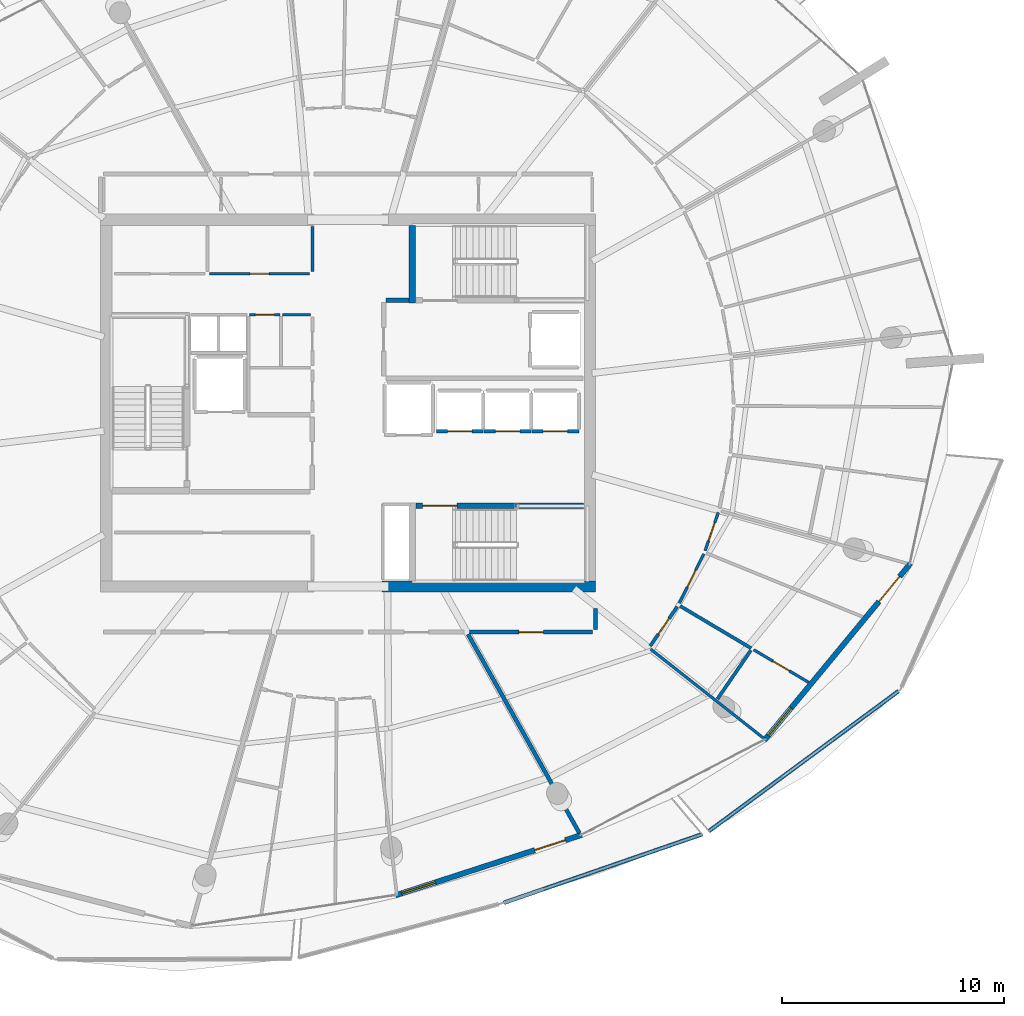
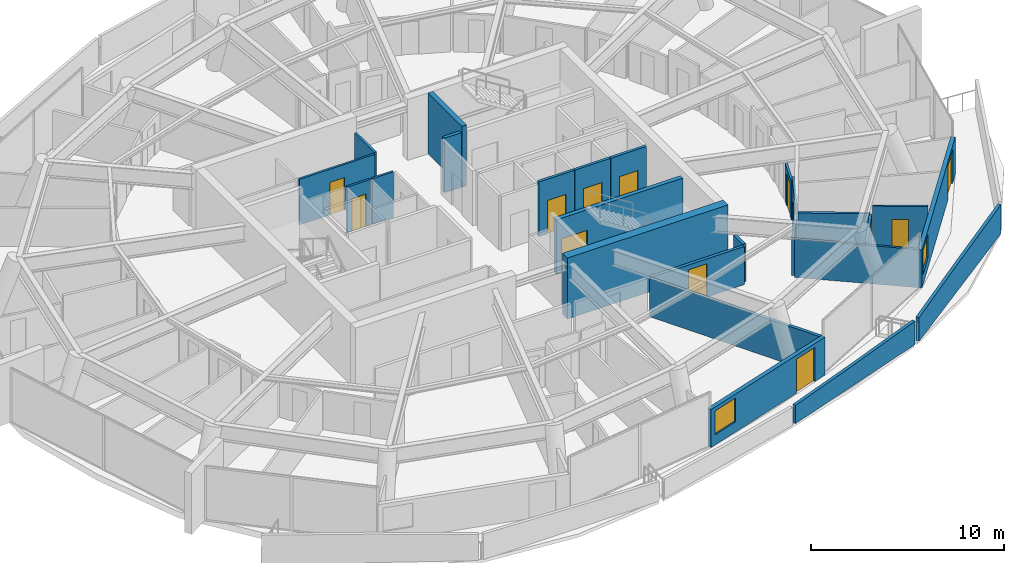
# One storey, part 16 of 24: 25 walls, 13 doors, 2 windows, 15 openings.
"""IFC4 building model written with IfcOpenShell, lengths in metres."""

from ifc_helpers import new_model, si_unit, direction, frame, frame_2d, origin, place, context, subcontext, project, spatial, polyline, rectangle, outline, extrude, material, layer, layer_set, type_object, element, fill, save


model = new_model("IFC4")

# Units and contexts
model_context = context("Model", 3, precision=1e-05, world=origin(), true_north=direction((0.0, 1.0)))
body_context = subcontext(model_context, "Body", "Model", "MODEL_VIEW")
ifc_project = project(units=[si_unit("LENGTHUNIT", "METRE"), si_unit("AREAUNIT", "SQUARE_METRE"), si_unit("VOLUMEUNIT", "CUBIC_METRE"), si_unit("PLANEANGLEUNIT", "RADIAN"), si_unit("MASSUNIT", "GRAM", prefix="KILO")], contexts=[model_context])

# Site, building, storey
site_placement = place(None, origin())
site = spatial("IfcSite", under=ifc_project, at=site_placement, CompositionType="ELEMENT")
building_placement = place(site_placement, origin())
building = spatial("IfcBuilding", under=site, at=building_placement, Name="Kazma Halo Residences", CompositionType="ELEMENT")
storey_placement = place(building_placement, frame((0.0, 0.0, 309.85009765625)))
storey = spatial("IfcBuildingStorey", under=building, at=storey_placement, Name="L78", CompositionType="ELEMENT", Elevation=309.85009765625)

# Walls
ifc_material_1 = material(Name="White Concrete C50/60 Balustrade", Category="concrete")
ifc_layer_1 = layer(ifc_material_1, 0.179931640625)
ifc_layer_set_1 = layer_set([ifc_layer_1], Name="White Concrete C50/60 Balustrade")
wall_type_1 = type_object("IfcWallType", Name="WL-BAL-WAVE-180", PredefinedType="PARAPET", material=ifc_layer_set_1)
wall_1_placement = place(storey_placement, frame((55.42919921875, 19.523681640625, 0.0), z_axis=(0.0, 0.0, 1.0), x_axis=(0.945123037219, 0.326714622443, 0.0)))
element("IfcWall", 1, at=wall_1_placement, inside=storey, type_object=wall_type_1, Name="L78 white wave balustrade wall SSE.2", PredefinedType="PARAPET", context=body_context, shape_type="SweptSolid", body=[
    extrude(outline(polyline([(0.0, 0.0), (9.446044921875, 0.0), (9.4462890625, 1.48291015625), (4.72314453125, 1.283935546875), (0.0, 1.14794921875), (0.0, 0.0)])), frame((0.0, 0.08984375, 0.0), z_axis=(0.0, -1.0, 0.0), x_axis=(1.0, 0.0, 0.0)), (0.0, 0.0, 1.0), 0.179931640625),
])
wall_2_placement = place(storey_placement, frame((64.651123046875, 22.74365234375, 0.0), z_axis=(0.0, 0.0, 1.0), x_axis=(0.804448153168, 0.594022868974, 0.0)))
element("IfcWall", 2, at=wall_2_placement, inside=storey, type_object=wall_type_1, Name="L78 white wave balustrade wall SE.1", PredefinedType="PARAPET", context=body_context, shape_type="SweptSolid", body=[
    extrude(outline(polyline([(0.0, 0.0), (10.6103515625, 0.0), (10.6103515625, 1.831787109375), (5.30517578125, 1.69580078125), (0.0, 1.496826171875), (0.0, 0.0)])), frame((0.0, 0.08984375, 0.0), z_axis=(0.0, -1.0, 0.0), x_axis=(1.0, 0.0, 0.0)), (0.0, 0.0, 1.0), 0.179931640625),
])
ifc_material_2 = material(Name="Concrete C60/75", Category="concrete")
ifc_layer_2 = layer(ifc_material_2, 0.5)
ifc_layer_set_2 = layer_set([ifc_layer_2], Name="Concrete C60/75")
wall_type_2 = type_object("IfcWallType", Name="WL-CORE-500", PredefinedType="SHEAR", material=ifc_layer_set_2)
wall_3_placement = place(storey_placement, frame((49.949951171875, 33.75, 0.0), z_axis=(0.0, 0.0, 1.0), x_axis=(1.0, 0.0, 0.0)))
element("IfcWall", 3, at=wall_3_placement, inside=storey, type_object=wall_type_2, Name="L78 central core shear wall SE", PredefinedType="SHEAR", context=body_context, shape_type="SweptSolid", body=[
    extrude(rectangle(XDim=9.60009765625, YDim=0.5, at=frame_2d((4.800048828125, 0.0))), origin(), (0.0, 0.0, 1.0), 3.849853515625),
])
ifc_layer_3 = layer(ifc_material_2, 0.280029296875)
ifc_layer_set_3 = layer_set([ifc_layer_3], Name="Concrete C60/75")
wall_type_3 = type_object("IfcWallType", Name="WL-CORE-ST-280", PredefinedType="SHEAR", material=ifc_layer_set_3)
wall_4_placement = place(storey_placement, frame((51.31005859375, 46.5, 0.0), z_axis=(0.0, 0.0, 1.0), x_axis=(0.0, 1.0, 0.0)))
element("IfcWall", 4, at=wall_4_placement, inside=storey, type_object=wall_type_3, Name="L78 stairwell bearing wall ST02-W", PredefinedType="SHEAR", context=body_context, shape_type="SweptSolid", body=[
    extrude(rectangle(XDim=3.5, YDim=0.280029296875, at=frame_2d((1.75, 0.0))), origin(), (0.0, 0.0, 1.0), 3.849853515625),
])
ifc_material_3 = material(Name="Acoustic Twin-Stud Gypsum")
ifc_layer_4 = layer(ifc_material_3, 0.179931640625)
ifc_layer_set_4 = layer_set([ifc_layer_4], Name="Acoustic Twin-Stud Gypsum")
wall_type_4 = type_object("IfcWallType", Name="WL-DEM-180", PredefinedType="PARTITIONING", material=ifc_layer_set_4)
wall_5_placement = place(storey_placement, frame((53.822021484375, 31.60400390625, 0.0), z_axis=(0.0, 0.0, 1.0), x_axis=(0.48861353883, -0.872500320729, 0.0)))
element("IfcWall", 5, at=wall_5_placement, inside=storey, type_object=wall_type_4, Name="L78 apartment demising radial wall 12", PredefinedType="PARTITIONING", context=body_context, shape_type="SweptSolid", body=[
    extrude(rectangle(XDim=10.234130859375, YDim=0.179931640625, at=frame_2d((5.1171875, 0.0))), origin(), (0.0, 0.0, 1.0), 2.406982421875),
])

# Wall, opening, door
wall_6_placement = place(storey_placement, frame((53.88818359375, 31.699951171875, 0.0), z_axis=(0.0, 0.0, 1.0), x_axis=(1.0, 0.0, 0.0)))
wall_6 = element("IfcWall", 6, at=wall_6_placement, inside=storey, type_object=wall_type_4, Name="L78 Apartment 4 entrance corridor wall", PredefinedType="PARTITIONING", context=body_context, shape_type="SweptSolid", body=[
    extrude(rectangle(XDim=5.541748046875, YDim=0.179931640625, at=frame_2d((2.77099609375, 0.0))), origin(), (0.0, 0.0, 1.0), 2.406982421875),
])
opening_1_placement = place(wall_6_placement, frame((2.220703125, 0.0, 0.0)))
opening_1 = element("IfcOpeningElement", 7, at=opening_1_placement, cuts=wall_6, Name="Opening DA-1100", PredefinedType="OPENING", context=body_context, shape_type="SweptSolid", body=[
    extrude(rectangle(XDim=1.10009765625, YDim=2.10009765625, at=frame_2d((0.550048828125, 1.050048828125))), frame((0.0, 0.099853515625, 0.0), z_axis=(0.0, -1.0, 0.0), x_axis=(1.0, 0.0, 0.0)), (0.0, 0.0, 1.0), 0.199951171875),
])
ifc_material_4 = material(Name="Acoustic Walnut Fire Leaf")
door_type_1 = type_object("IfcDoorType", Name="DR-FD60-1100", OperationType="NOTDEFINED", PredefinedType="DOOR", material=ifc_material_4)
door_1_placement = place(opening_1_placement, origin())
door_1 = element("IfcDoor", 8, at=door_1_placement, inside=storey, type_object=door_type_1, Name="L78 Apartment 4 entrance fire door", OperationType="SINGLE_SWING_LEFT", OverallHeight=2.10009765625, OverallWidth=1.10009765625, PredefinedType="DOOR", context=body_context, shape_type="SweptSolid", body=[
    extrude(rectangle(XDim=1.10009765625, YDim=2.10009765625, at=frame_2d((0.550048828125, 1.050048828125))), frame((0.0, 0.02490234375, 0.0), z_axis=(0.0, -1.0, 0.0), x_axis=(1.0, 0.0, 0.0)), (0.0, 0.0, 1.0), 0.050048828125),
])
fill(opening_1, door_1)

# Wall
wall_7_placement = place(storey_placement, frame((59.550048828125, 31.820068359375, 0.0), z_axis=(0.0, 0.0, 1.0), x_axis=(0.0, 1.0, 0.0)))
element("IfcWall", 9, at=wall_7_placement, inside=storey, type_object=wall_type_4, Name="L78 Apartment 4 entrance corridor wall", PredefinedType="PARTITIONING", context=body_context, shape_type="SweptSolid", body=[
    extrude(rectangle(XDim=0.95458984375, YDim=0.179931640625, at=frame_2d((0.477294921875, 0.0))), origin(), (0.0, 0.0, 1.0), 2.406982421875),
])

# Wall, openings, door, window
ifc_material_5 = material(Name="Insulated Pale-Metal Composite Wall")
ifc_layer_5 = layer(ifc_material_5, 0.239990234375)
ifc_layer_set_5 = layer_set([ifc_layer_5], Name="Insulated Pale-Metal Composite Wall")
wall_type_5 = type_object("IfcWallType", Name="WL-EXT-HOST-240", PredefinedType="SOLIDWALL", material=ifc_layer_set_5)
wall_8_placement = place(storey_placement, frame((50.570556640625, 19.864501953125, 0.0), z_axis=(0.0, 0.0, 1.0), x_axis=(0.951049986024, 0.309037091762, 0.0)))
wall_8 = element("IfcWall", 10, at=wall_8_placement, inside=storey, type_object=wall_type_5, Name="L78 exterior terrace-access wall B12", PredefinedType="SOLIDWALL", context=body_context, shape_type="SweptSolid", body=[
    extrude(rectangle(XDim=8.791259765625, YDim=0.239990234375, at=frame_2d((4.3955078125, 0.0))), origin(), (0.0, 0.0, 1.0), 2.39990234375),
])
opening_2_placement = place(wall_8_placement, frame((6.571044921875, 0.0, 0.0)))
opening_2 = element("IfcOpeningElement", 11, at=opening_2_placement, cuts=wall_8, Name="Opening DTR-1600", PredefinedType="OPENING", context=body_context, shape_type="SweptSolid", body=[
    extrude(rectangle(XDim=1.449951171875, YDim=2.14990234375, at=frame_2d((0.72509765625, 1.074951171875))), frame((0.0, 0.1298828125, 0.0), z_axis=(0.0, -1.0, 0.0), x_axis=(1.0, 0.0, 0.0)), (0.0, 0.0, 1.0), 0.260009765625),
])
opening_3_placement = place(wall_8_placement, frame((0.280029296875, 0.0, 0.64990234375)))
opening_3 = element("IfcOpeningElement", 12, at=opening_3_placement, cuts=wall_8, Name="Opening W-1800", PredefinedType="OPENING", context=body_context, shape_type="SweptSolid", body=[
    extrude(rectangle(XDim=1.60009765625, YDim=1.5, at=frame_2d((0.800048828125, 0.75))), frame((0.0, 0.1298828125, 0.0), z_axis=(0.0, -1.0, 0.0), x_axis=(1.0, 0.0, 0.0)), (0.0, 0.0, 1.0), 0.260009765625),
])
ifc_material_6 = material(Name="Aluminium AW-6063 T6 Double-Glazed Terrace Door", Category="aluminium")
door_type_2 = type_object("IfcDoorType", Name="DR-EXT-TERR-1600", OperationType="NOTDEFINED", PredefinedType="DOOR", material=ifc_material_6)
door_2_placement = place(opening_2_placement, origin())
door_2 = element("IfcDoor", 13, at=door_2_placement, inside=storey, type_object=door_type_2, Name="L78 B12 balcony terrace door", OperationType="DOUBLE_DOOR_SLIDING", OverallHeight=2.14990234375, OverallWidth=1.449951171875, PredefinedType="DOOR", context=body_context, shape_type="SweptSolid", body=[
    extrude(rectangle(XDim=1.449951171875, YDim=2.14990234375, at=frame_2d((0.72509765625, 1.074951171875))), frame((0.0, 0.02490234375, 0.0), z_axis=(0.0, -1.0, 0.0), x_axis=(1.0, 0.0, 0.0)), (0.0, 0.0, 1.0), 0.050048828125),
])
fill(opening_2, door_2)
ifc_material_7 = material(Name="Clear Triple-Silver Low-E Glass in Aluminium AW-6063 T6 Frame", Category="aluminium")
window_type = type_object("IfcWindowType", Name="WIN-RES-1800", PartitioningType="DOUBLE_PANEL_VERTICAL", PredefinedType="WINDOW", material=ifc_material_7)
window_1_placement = place(opening_3_placement, origin())
window_1 = element("IfcWindow", 14, at=window_1_placement, inside=storey, type_object=window_type, Name="L78 B12 apartment window", OverallHeight=1.5, OverallWidth=1.60009765625, PartitioningType="SINGLE_PANEL", PredefinedType="WINDOW", context=body_context, shape_type="SweptSolid", body=[
    extrude(rectangle(XDim=1.60009765625, YDim=1.5, at=frame_2d((0.800048828125, 0.75))), frame((0.0, 0.030029296875, 0.0), z_axis=(0.0, -1.0, 0.0), x_axis=(1.0, 0.0, 0.0)), (0.0, 0.0, 1.0), 0.06005859375),
])
fill(opening_3, window_1)

wall_9_placement = place(storey_placement, frame((67.152587890625, 26.837646484375, 0.0), z_axis=(0.0, 0.0, 1.0), x_axis=(0.636756692318, 0.77106479286, 0.0)))
wall_9 = element("IfcWall", 15, at=wall_9_placement, inside=storey, type_object=wall_type_5, Name="L78 exterior terrace-access wall B14", PredefinedType="SOLIDWALL", context=body_context, shape_type="SweptSolid", body=[
    extrude(rectangle(XDim=10.317626953125, YDim=0.239990234375, at=frame_2d((5.15869140625, 0.0))), origin(), (0.0, 0.0, 1.0), 2.39990234375),
])
opening_4_placement = place(wall_9_placement, frame((8.09765625, 0.0, 0.0)))
opening_4 = element("IfcOpeningElement", 16, at=opening_4_placement, cuts=wall_9, Name="Opening DTR-1600", PredefinedType="OPENING", context=body_context, shape_type="SweptSolid", body=[
    extrude(rectangle(XDim=1.449951171875, YDim=2.14990234375, at=frame_2d((0.72509765625, 1.074951171875))), frame((0.0, 0.1298828125, 0.0), z_axis=(0.0, -1.0, 0.0), x_axis=(1.0, 0.0, 0.0)), (0.0, 0.0, 1.0), 0.260009765625),
])
opening_5_placement = place(wall_9_placement, frame((0.280029296875, 0.0, 0.64990234375)))
opening_5 = element("IfcOpeningElement", 17, at=opening_5_placement, cuts=wall_9, Name="Opening W-1800", PredefinedType="OPENING", context=body_context, shape_type="SweptSolid", body=[
    extrude(rectangle(XDim=1.60009765625, YDim=1.5, at=frame_2d((0.800048828125, 0.75))), frame((0.0, 0.1298828125, 0.0), z_axis=(0.0, -1.0, 0.0), x_axis=(1.0, 0.0, 0.0)), (0.0, 0.0, 1.0), 0.260009765625),
])
door_3_placement = place(opening_4_placement, origin())
door_3 = element("IfcDoor", 18, at=door_3_placement, inside=storey, type_object=door_type_2, Name="L78 B14 balcony terrace door", OperationType="DOUBLE_DOOR_SLIDING", OverallHeight=2.14990234375, OverallWidth=1.449951171875, PredefinedType="DOOR", context=body_context, shape_type="SweptSolid", body=[
    extrude(rectangle(XDim=1.449951171875, YDim=2.14990234375, at=frame_2d((0.72509765625, 1.074951171875))), frame((0.0, 0.02490234375, 0.0), z_axis=(0.0, -1.0, 0.0), x_axis=(1.0, 0.0, 0.0)), (0.0, 0.0, 1.0), 0.050048828125),
])
fill(opening_4, door_3)
window_2_placement = place(opening_5_placement, origin())
window_2 = element("IfcWindow", 19, at=window_2_placement, inside=storey, type_object=window_type, Name="L78 B14 apartment window", OverallHeight=1.5, OverallWidth=1.60009765625, PartitioningType="SINGLE_PANEL", PredefinedType="WINDOW", context=body_context, shape_type="SweptSolid", body=[
    extrude(rectangle(XDim=1.60009765625, YDim=1.5, at=frame_2d((0.800048828125, 0.75))), frame((0.0, 0.030029296875, 0.0), z_axis=(0.0, -1.0, 0.0), x_axis=(1.0, 0.0, 0.0)), (0.0, 0.0, 1.0), 0.06005859375),
])
fill(opening_5, window_2)

# Wall, opening, door
ifc_material_8 = material(Name="Fire-Rated Blockwork Masonry", Category="masonry")
ifc_layer_6 = layer(ifc_material_8, 0.199951171875)
ifc_layer_set_6 = layer_set([ifc_layer_6], Name="Fire-Rated Blockwork Masonry")
wall_type_6 = type_object("IfcWallType", Name="WL-FLB-200", PredefinedType="PARTITIONING", material=ifc_layer_set_6)
wall_10_placement = place(storey_placement, frame((54.5048828125, 40.7451171875, 0.0), z_axis=(0.0, 0.0, 1.0), x_axis=(-1.0, 0.0, 0.0)))
wall_10 = element("IfcWall", 20, at=wall_10_placement, inside=storey, type_object=wall_type_6, Name="L78 lift shaft PH-01 front wall", PredefinedType="PARTITIONING", context=body_context, shape_type="SweptSolid", body=[
    extrude(rectangle(XDim=2.10986328125, YDim=0.159912109375, at=frame_2d((1.054931640625, 0.0))), origin(), (0.0, 0.0, 1.0), 3.449951171875),
])
opening_6_placement = place(wall_10_placement, frame((0.5048828125, 0.0, 0.0)))
opening_6 = element("IfcOpeningElement", 21, at=opening_6_placement, cuts=wall_10, Name="Opening LD-PH-01", PredefinedType="OPENING", context=body_context, shape_type="SweptSolid", body=[
    extrude(rectangle(XDim=1.10009765625, YDim=2.10009765625, at=frame_2d((0.550048828125, 1.050048828125))), frame((0.0, 0.08984375, 0.0), z_axis=(0.0, -1.0, 0.0), x_axis=(1.0, 0.0, 0.0)), (0.0, 0.0, 1.0), 0.179931640625),
])
ifc_material_9 = material(Name="Stainless Steel Fire-Rated", Category="steel")
door_type_3 = type_object("IfcDoorType", Name="DR-LIFT-SLD-1100", OperationType="DOUBLE_DOOR_SLIDING", PredefinedType="DOOR", material=ifc_material_9)
door_4_placement = place(opening_6_placement, origin())
door_4 = element("IfcDoor", 22, at=door_4_placement, inside=storey, type_object=door_type_3, Name="L78 lift PH-01 sliding landing door", OperationType="DOUBLE_DOOR_SLIDING", OverallHeight=2.10009765625, OverallWidth=1.10009765625, PredefinedType="DOOR", context=body_context, shape_type="SweptSolid", body=[
    extrude(rectangle(XDim=1.10009765625, YDim=2.10009765625, at=frame_2d((0.550048828125, 1.050048828125))), frame((0.0, 0.02490234375, 0.0), z_axis=(0.0, -1.0, 0.0), x_axis=(1.0, 0.0, 0.0)), (0.0, 0.0, 1.0), 0.050048828125),
])
fill(opening_6, door_4)

wall_11_placement = place(storey_placement, frame((56.655029296875, 40.7451171875, 0.0), z_axis=(0.0, 0.0, 1.0), x_axis=(-1.0, 0.0, 0.0)))
wall_11 = element("IfcWall", 23, at=wall_11_placement, inside=storey, type_object=wall_type_6, Name="L78 lift shaft PH-02 front wall", PredefinedType="PARTITIONING", context=body_context, shape_type="SweptSolid", body=[
    extrude(rectangle(XDim=2.110107421875, YDim=0.159912109375, at=frame_2d((1.05517578125, 0.0))), origin(), (0.0, 0.0, 1.0), 3.449951171875),
])
opening_7_placement = place(wall_11_placement, frame((0.5048828125, 0.0, 0.0)))
opening_7 = element("IfcOpeningElement", 24, at=opening_7_placement, cuts=wall_11, Name="Opening LD-PH-02", PredefinedType="OPENING", context=body_context, shape_type="SweptSolid", body=[
    extrude(rectangle(XDim=1.10009765625, YDim=2.10009765625, at=frame_2d((0.550048828125, 1.050048828125))), frame((0.0, 0.08984375, 0.0), z_axis=(0.0, -1.0, 0.0), x_axis=(1.0, 0.0, 0.0)), (0.0, 0.0, 1.0), 0.179931640625),
])
door_5_placement = place(opening_7_placement, origin())
door_5 = element("IfcDoor", 25, at=door_5_placement, inside=storey, type_object=door_type_3, Name="L78 lift PH-02 sliding landing door", OperationType="DOUBLE_DOOR_SLIDING", OverallHeight=2.10009765625, OverallWidth=1.10009765625, PredefinedType="DOOR", context=body_context, shape_type="SweptSolid", body=[
    extrude(rectangle(XDim=1.10009765625, YDim=2.10009765625, at=frame_2d((0.550048828125, 1.050048828125))), frame((0.0, 0.02490234375, 0.0), z_axis=(0.0, -1.0, 0.0), x_axis=(1.0, 0.0, 0.0)), (0.0, 0.0, 1.0), 0.050048828125),
])
fill(opening_7, door_5)

wall_12_placement = place(storey_placement, frame((58.804931640625, 40.7451171875, 0.0), z_axis=(0.0, 0.0, 1.0), x_axis=(-1.0, 0.0, 0.0)))
wall_12 = element("IfcWall", 26, at=wall_12_placement, inside=storey, type_object=wall_type_6, Name="L78 lift shaft PH-03 front wall", PredefinedType="PARTITIONING", context=body_context, shape_type="SweptSolid", body=[
    extrude(rectangle(XDim=2.10986328125, YDim=0.159912109375, at=frame_2d((1.054931640625, 0.0))), origin(), (0.0, 0.0, 1.0), 3.449951171875),
])
opening_8_placement = place(wall_12_placement, frame((0.5048828125, 0.0, 0.0)))
opening_8 = element("IfcOpeningElement", 27, at=opening_8_placement, cuts=wall_12, Name="Opening LD-PH-03", PredefinedType="OPENING", context=body_context, shape_type="SweptSolid", body=[
    extrude(rectangle(XDim=1.10009765625, YDim=2.10009765625, at=frame_2d((0.550048828125, 1.050048828125))), frame((0.0, 0.08984375, 0.0), z_axis=(0.0, -1.0, 0.0), x_axis=(1.0, 0.0, 0.0)), (0.0, 0.0, 1.0), 0.179931640625),
])
door_6_placement = place(opening_8_placement, origin())
door_6 = element("IfcDoor", 28, at=door_6_placement, inside=storey, type_object=door_type_3, Name="L78 lift PH-03 sliding landing door", OperationType="DOUBLE_DOOR_SLIDING", OverallHeight=2.10009765625, OverallWidth=1.10009765625, PredefinedType="DOOR", context=body_context, shape_type="SweptSolid", body=[
    extrude(rectangle(XDim=1.10009765625, YDim=2.10009765625, at=frame_2d((0.550048828125, 1.050048828125))), frame((0.0, 0.02490234375, 0.0), z_axis=(0.0, -1.0, 0.0), x_axis=(1.0, 0.0, 0.0)), (0.0, 0.0, 1.0), 0.050048828125),
])
fill(opening_8, door_6)

# Walls
wall_13_placement = place(storey_placement, frame((50.139892578125, 46.6201171875, 0.0), z_axis=(0.0, 0.0, 1.0), x_axis=(1.0, 0.0, 0.0)))
element("IfcWall", 29, at=wall_13_placement, inside=storey, type_object=wall_type_6, Name="L78 east firefighting lobby north closure wall", PredefinedType="PARTITIONING", context=body_context, shape_type="SweptSolid", body=[
    extrude(rectangle(XDim=1.02001953125, YDim=0.199951171875, at=frame_2d((0.510009765625, 0.0))), origin(), (0.0, 0.0, 1.0), 3.449951171875),
])
ifc_material_10 = material(Name="Gypsum Plasterboard Partition")
ifc_layer_7 = layer(ifc_material_10, 0.125)
ifc_layer_set_7 = layer_set([ifc_layer_7], Name="Gypsum Plasterboard Partition")
wall_type_7 = type_object("IfcWallType", Name="WL-PART-125", PredefinedType="PARTITIONING", material=ifc_layer_set_7)
wall_14_placement = place(storey_placement, frame((46.820068359375, 47.919921875, 0.0), z_axis=(0.0, 0.0, 1.0), x_axis=(0.0, 1.0, 0.0)))
element("IfcWall", 30, at=wall_14_placement, inside=storey, type_object=wall_type_7, Name="L78 reclaimed north east wall", PredefinedType="PARTITIONING", context=body_context, shape_type="SweptSolid", body=[
    extrude(rectangle(XDim=2.030029296875, YDim=0.125, at=frame_2d((1.01513671875, 0.0))), origin(), (0.0, 0.0, 1.0), 2.889892578125),
])

# Wall, opening, door
wall_15_placement = place(storey_placement, frame((42.199951171875, 47.820068359375, 0.0), z_axis=(0.0, 0.0, 1.0), x_axis=(1.0, 0.0, 0.0)))
wall_15 = element("IfcWall", 31, at=wall_15_placement, inside=storey, type_object=wall_type_7, Name="L78 reclaimed north E front wall", PredefinedType="PARTITIONING", context=body_context, shape_type="SweptSolid", body=[
    extrude(rectangle(XDim=4.5, YDim=0.125, at=frame_2d((2.25, 0.0))), origin(), (0.0, 0.0, 1.0), 2.889892578125),
])
opening_9_placement = place(wall_15_placement, frame((1.824951171875, 0.0, 0.0)))
opening_9 = element("IfcOpeningElement", 32, at=opening_9_placement, cuts=wall_15, Name="Opening DS-850", PredefinedType="OPENING", context=body_context, shape_type="SweptSolid", body=[
    extrude(rectangle(XDim=0.85009765625, YDim=2.06005859375, at=frame_2d((0.425048828125, 1.030029296875))), frame((0.0, 0.072509765625, 0.0), z_axis=(0.0, -1.0, 0.0), x_axis=(1.0, 0.0, 0.0)), (0.0, 0.0, 1.0), 0.14501953125),
])
ifc_material_11 = material(Name="Painted Steel Access Leaf", Category="steel")
door_type_4 = type_object("IfcDoorType", Name="DR-SVC-850", OperationType="NOTDEFINED", PredefinedType="DOOR", material=ifc_material_11)
door_7_placement = place(opening_9_placement, origin())
door_7 = element("IfcDoor", 33, at=door_7_placement, inside=storey, type_object=door_type_4, Name="L78 reclaimed north E door", OperationType="SINGLE_SWING_LEFT", OverallHeight=2.06005859375, OverallWidth=0.85009765625, PredefinedType="DOOR", context=body_context, shape_type="SweptSolid", body=[
    extrude(rectangle(XDim=0.85009765625, YDim=2.06005859375, at=frame_2d((0.425048828125, 1.030029296875))), frame((0.0, 0.02490234375, 0.0), z_axis=(0.0, -1.0, 0.0), x_axis=(1.0, 0.0, 0.0)), (0.0, 0.0, 1.0), 0.050048828125),
])
fill(opening_9, door_7)

wall_16_placement = place(storey_placement, frame((43.989990234375, 45.97998046875, 0.0), z_axis=(0.0, 0.0, 1.0), x_axis=(1.0, 0.0, 0.0)))
wall_16 = element("IfcWall", 34, at=wall_16_placement, inside=storey, type_object=wall_type_7, Name="L78 cleaners cupboard north wall", PredefinedType="PARTITIONING", context=body_context, shape_type="SweptSolid", body=[
    extrude(rectangle(XDim=1.380126953125, YDim=0.125, at=frame_2d((0.68994140625, 0.0))), origin(), (0.0, 0.0, 1.0), 2.889892578125),
])
opening_10_placement = place(wall_16_placement, frame((0.264892578125, 0.0, 0.0)))
opening_10 = element("IfcOpeningElement", 35, at=opening_10_placement, cuts=wall_16, Name="Opening DS-850", PredefinedType="OPENING", context=body_context, shape_type="SweptSolid", body=[
    extrude(rectangle(XDim=0.85009765625, YDim=2.06005859375, at=frame_2d((0.425048828125, 1.030029296875))), frame((0.0, 0.072509765625, 0.0), z_axis=(0.0, -1.0, 0.0), x_axis=(1.0, 0.0, 0.0)), (0.0, 0.0, 1.0), 0.14501953125),
])
door_8_placement = place(opening_10_placement, origin())
door_8 = element("IfcDoor", 36, at=door_8_placement, inside=storey, type_object=door_type_4, Name="L78 cleaners cupboard door", OperationType="SINGLE_SWING_LEFT", OverallHeight=2.06005859375, OverallWidth=0.85009765625, PredefinedType="DOOR", context=body_context, shape_type="SweptSolid", body=[
    extrude(rectangle(XDim=0.85009765625, YDim=2.06005859375, at=frame_2d((0.425048828125, 1.030029296875))), frame((0.0, 0.02490234375, 0.0), z_axis=(0.0, -1.0, 0.0), x_axis=(1.0, 0.0, 0.0)), (0.0, 0.0, 1.0), 0.050048828125),
])
fill(opening_10, door_8)

# Walls
wall_17_placement = place(storey_placement, frame((45.47998046875, 45.97998046875, 0.0), z_axis=(0.0, 0.0, 1.0), x_axis=(1.0, 0.0, 0.0)))
element("IfcWall", 37, at=wall_17_placement, inside=storey, type_object=wall_type_7, Name="L78 sub-metering north wall", PredefinedType="PARTITIONING", context=body_context, shape_type="SweptSolid", body=[
    extrude(rectangle(XDim=1.260009765625, YDim=0.125, at=frame_2d((0.6298828125, 0.0))), origin(), (0.0, 0.0, 1.0), 2.889892578125),
])
wall_18_placement = place(storey_placement, frame((62.038330078125, 30.93310546875, 0.0), z_axis=(0.0, 0.0, 1.0), x_axis=(0.785307629386, -0.619105748017, 0.0)))
element("IfcWall", 38, at=wall_18_placement, inside=storey, type_object=wall_type_7, Name="L78 Apartment 4 radial partition 13", PredefinedType="PARTITIONING", context=body_context, shape_type="SweptSolid", body=[
    extrude(rectangle(XDim=6.528076171875, YDim=0.125, at=frame_2d((3.26416015625, 0.0))), origin(), (0.0, 0.0, 1.0), 2.406982421875),
])

# Wall, opening, door
wall_19_placement = place(storey_placement, frame((66.670166015625, 30.908935546875, 0.0), z_axis=(0.0, 0.0, 1.0), x_axis=(0.859769693766, -0.510681969216, 0.0)))
wall_19 = element("IfcWall", 39, at=wall_19_placement, inside=storey, type_object=wall_type_7, Name="L78 Apartment 4 Utility Laundry Room partition wall", PredefinedType="PARTITIONING", context=body_context, shape_type="SweptSolid", body=[
    extrude(rectangle(XDim=2.875, YDim=0.125, at=frame_2d((1.4375, 0.0))), origin(), (0.0, 0.0, 1.0), 2.889892578125),
])
opening_11_placement = place(wall_19_placement, frame((1.012451171875, 0.0, 0.0)))
opening_11 = element("IfcOpeningElement", 40, at=opening_11_placement, cuts=wall_19, Name="Opening DB-900", PredefinedType="OPENING", context=body_context, shape_type="SweptSolid", body=[
    extrude(rectangle(XDim=0.85009765625, YDim=2.06005859375, at=frame_2d((0.425048828125, 1.030029296875))), frame((0.0, 0.072509765625, 0.0), z_axis=(0.0, -1.0, 0.0), x_axis=(1.0, 0.0, 0.0)), (0.0, 0.0, 1.0), 0.14501953125),
])
ifc_material_12 = material(Name="Moisture-Sealed Timber Leaf", Category="wood")
door_type_5 = type_object("IfcDoorType", Name="DR-BTH-900", OperationType="NOTDEFINED", PredefinedType="DOOR", material=ifc_material_12)
door_9_placement = place(opening_11_placement, origin())
door_9 = element("IfcDoor", 41, at=door_9_placement, inside=storey, type_object=door_type_5, Name="L78 Apartment 4 Utility Laundry Room door", OperationType="SINGLE_SWING_LEFT", OverallHeight=2.06005859375, OverallWidth=0.85009765625, PredefinedType="DOOR", context=body_context, shape_type="SweptSolid", body=[
    extrude(rectangle(XDim=0.85009765625, YDim=2.06005859375, at=frame_2d((0.425048828125, 1.030029296875))), frame((0.0, 0.02490234375, 0.0), z_axis=(0.0, -1.0, 0.0), x_axis=(1.0, 0.0, 0.0)), (0.0, 0.0, 1.0), 0.050048828125),
])
fill(opening_11, door_9)

wall_20_placement = place(storey_placement, frame((63.322998046875, 33.001953125, 0.0), z_axis=(0.0, 0.0, 1.0), x_axis=(0.445356978946, 0.895353093089, 0.0)))
wall_20 = element("IfcWall", 42, at=wall_20_placement, inside=storey, type_object=wall_type_7, Name="L78 Apartment 4 Gourmet Kitchen hall wall", PredefinedType="PARTITIONING", context=body_context, shape_type="SweptSolid", body=[
    extrude(rectangle(XDim=2.473388671875, YDim=0.125, at=frame_2d((1.23681640625, 0.0))), origin(), (0.0, 0.0, 1.0), 2.889892578125),
])
opening_12_placement = place(wall_20_placement, frame((0.811767578125, 0.0, 0.0)))
opening_12 = element("IfcOpeningElement", 43, at=opening_12_placement, cuts=wall_20, Name="Opening DB-900", PredefinedType="OPENING", context=body_context, shape_type="SweptSolid", body=[
    extrude(rectangle(XDim=0.85009765625, YDim=2.06005859375, at=frame_2d((0.425048828125, 1.030029296875))), frame((0.0, 0.072509765625, 0.0), z_axis=(0.0, -1.0, 0.0), x_axis=(1.0, 0.0, 0.0)), (0.0, 0.0, 1.0), 0.14501953125),
])
door_10_placement = place(opening_12_placement, origin())
door_10 = element("IfcDoor", 44, at=door_10_placement, inside=storey, type_object=door_type_5, Name="L78 Apartment 4 Gourmet Kitchen door", OperationType="SINGLE_SWING_RIGHT", OverallHeight=2.06005859375, OverallWidth=0.85009765625, PredefinedType="DOOR", context=body_context, shape_type="SweptSolid", body=[
    extrude(rectangle(XDim=0.85009765625, YDim=2.06005859375, at=frame_2d((0.425048828125, 1.030029296875))), frame((0.0, 0.02490234375, 0.0), z_axis=(0.0, -1.0, 0.0), x_axis=(1.0, 0.0, 0.0)), (0.0, 0.0, 1.0), 0.050048828125),
])
fill(opening_12, door_10)

wall_21_placement = place(storey_placement, frame((64.486083984375, 35.36376953125, 0.0), z_axis=(0.0, 0.0, 1.0), x_axis=(0.325091045502, 0.945682722764, 0.0)))
wall_21 = element("IfcWall", 45, at=wall_21_placement, inside=storey, type_object=wall_type_7, Name="L78 Apartment 4 Primary Bedroom hall wall", PredefinedType="PARTITIONING", context=body_context, shape_type="SweptSolid", body=[
    extrude(rectangle(XDim=1.815185546875, YDim=0.125, at=frame_2d((0.90771484375, 0.0))), origin(), (0.0, 0.0, 1.0), 2.406982421875),
])
opening_13_placement = place(wall_21_placement, frame((0.482421875, 0.0, 0.0)))
opening_13 = element("IfcOpeningElement", 46, at=opening_13_placement, cuts=wall_21, Name="Opening DB-900", PredefinedType="OPENING", context=body_context, shape_type="SweptSolid", body=[
    extrude(rectangle(XDim=0.85009765625, YDim=2.06005859375, at=frame_2d((0.425048828125, 1.030029296875))), frame((0.0, 0.072509765625, 0.0), z_axis=(0.0, -1.0, 0.0), x_axis=(1.0, 0.0, 0.0)), (0.0, 0.0, 1.0), 0.14501953125),
])
door_11_placement = place(opening_13_placement, origin())
door_11 = element("IfcDoor", 47, at=door_11_placement, inside=storey, type_object=door_type_5, Name="L78 Apartment 4 Primary Bedroom door", OperationType="SINGLE_SWING_LEFT", OverallHeight=2.06005859375, OverallWidth=0.85009765625, PredefinedType="DOOR", context=body_context, shape_type="SweptSolid", body=[
    extrude(rectangle(XDim=0.85009765625, YDim=2.06005859375, at=frame_2d((0.425048828125, 1.030029296875))), frame((0.0, 0.02490234375, 0.0), z_axis=(0.0, -1.0, 0.0), x_axis=(1.0, 0.0, 0.0)), (0.0, 0.0, 1.0), 0.050048828125),
])
fill(opening_13, door_11)

ifc_material_13 = material(Name="Concrete C50/60", Category="concrete")
ifc_layer_8 = layer(ifc_material_13, 0.25)
ifc_layer_set_8 = layer_set([ifc_layer_8], Name="Concrete C50/60")
wall_type_8 = type_object("IfcWallType", Name="WL-SHF-250", PredefinedType="SOLIDWALL", material=ifc_layer_set_8)
wall_22_placement = place(storey_placement, frame((51.47998046875, 37.3798828125, 0.0), z_axis=(0.0, 0.0, 1.0), x_axis=(1.0, 0.0, 0.0)))
wall_22 = element("IfcWall", 48, at=wall_22_placement, inside=storey, type_object=wall_type_8, Name="L78 exit stair ST-03 enclosure wall", PredefinedType="SOLIDWALL", context=body_context, shape_type="SweptSolid", body=[
    extrude(rectangle(XDim=7.5400390625, YDim=0.25, at=frame_2d((3.77001953125, 0.0))), origin(), (0.0, 0.0, 1.0), 3.449951171875),
])
opening_14_placement = place(wall_22_placement, frame((0.300048828125, 0.0, 0.0)))
opening_14 = element("IfcOpeningElement", 49, at=opening_14_placement, cuts=wall_22, Name="Opening D-ST3", PredefinedType="OPENING", context=body_context, shape_type="SweptSolid", body=[
    extrude(rectangle(XDim=1.550048828125, YDim=2.14990234375, at=frame_2d((0.77490234375, 1.074951171875))), frame((0.0, 0.135009765625, 0.0), z_axis=(0.0, -1.0, 0.0), x_axis=(1.0, 0.0, 0.0)), (0.0, 0.0, 1.0), 0.27001953125),
])
ifc_material_14 = material(Name="Fire-Rated Double Steel Leaf", Category="steel")
door_type_6 = type_object("IfcDoorType", Name="DR-FD90-1550", OperationType="NOTDEFINED", PredefinedType="DOOR", material=ifc_material_14)
door_12_placement = place(opening_14_placement, origin())
door_12 = element("IfcDoor", 50, at=door_12_placement, inside=storey, type_object=door_type_6, Name="L78 exit stair ST-03 fire door", OperationType="DOUBLE_DOOR_SINGLE_SWING", OverallHeight=2.14990234375, OverallWidth=1.550048828125, PredefinedType="DOOR", context=body_context, shape_type="SweptSolid", body=[
    extrude(rectangle(XDim=1.550048828125, YDim=2.14990234375, at=frame_2d((0.77490234375, 1.074951171875))), frame((0.0, 0.02490234375, 0.0), z_axis=(0.0, -1.0, 0.0), x_axis=(1.0, 0.0, 0.0)), (0.0, 0.0, 1.0), 0.050048828125),
])
fill(opening_14, door_12)

ifc_material_15 = material(Name="Moisture-Resistant Gypsum")
ifc_layer_9 = layer(ifc_material_15, 0.14990234375)
ifc_layer_set_9 = layer_set([ifc_layer_9], Name="Moisture-Resistant Gypsum")
wall_type_9 = type_object("IfcWallType", Name="WL-WET-150", PredefinedType="PARTITIONING", material=ifc_layer_set_9)
wall_23_placement = place(storey_placement, frame((62.016357421875, 31.077392578125, 0.0), z_axis=(0.0, 0.0, 1.0), x_axis=(0.566089554618, 0.82434374878, 0.0)))
wall_23 = element("IfcWall", 51, at=wall_23_placement, inside=storey, type_object=wall_type_9, Name="L78 Apartment 4 Guest Bathroom hall wall", PredefinedType="PARTITIONING", context=body_context, shape_type="SweptSolid", body=[
    extrude(rectangle(XDim=2.14697265625, YDim=0.14990234375, at=frame_2d((1.073486328125, 0.0))), origin(), (0.0, 0.0, 1.0), 2.406982421875),
])
opening_15_placement = place(wall_23_placement, frame((0.6484375, 0.0, 0.0)))
opening_15 = element("IfcOpeningElement", 52, at=opening_15_placement, cuts=wall_23, Name="Opening DB-900", PredefinedType="OPENING", context=body_context, shape_type="SweptSolid", body=[
    extrude(rectangle(XDim=0.85009765625, YDim=2.06005859375, at=frame_2d((0.425048828125, 1.030029296875))), frame((0.0, 0.0849609375, 0.0), z_axis=(0.0, -1.0, 0.0), x_axis=(1.0, 0.0, 0.0)), (0.0, 0.0, 1.0), 0.169921875),
])
door_13_placement = place(opening_15_placement, origin())
door_13 = element("IfcDoor", 53, at=door_13_placement, inside=storey, type_object=door_type_5, Name="L78 Apartment 4 Guest Bathroom door", OperationType="SINGLE_SWING_RIGHT", OverallHeight=2.06005859375, OverallWidth=0.85009765625, PredefinedType="DOOR", context=body_context, shape_type="SweptSolid", body=[
    extrude(rectangle(XDim=0.85009765625, YDim=2.06005859375, at=frame_2d((0.425048828125, 1.030029296875))), frame((0.0, 0.02490234375, 0.0), z_axis=(0.0, -1.0, 0.0), x_axis=(1.0, 0.0, 0.0)), (0.0, 0.0, 1.0), 0.050048828125),
])
fill(opening_15, door_13)

# Walls
wall_24_placement = place(storey_placement, frame((65.039794921875, 28.69384765625, 0.0), z_axis=(0.0, 0.0, 1.0), x_axis=(0.566157723222, 0.824296932201, 0.0)))
element("IfcWall", 54, at=wall_24_placement, inside=storey, type_object=wall_type_9, Name="L78 Apartment 4 Guest Bathroom back wall", PredefinedType="PARTITIONING", context=body_context, shape_type="SweptSolid", body=[
    extrude(rectangle(XDim=2.65283203125, YDim=0.14990234375, at=frame_2d((1.326416015625, 0.0))), origin(), (0.0, 0.0, 1.0), 2.4248046875),
])
wall_25_placement = place(storey_placement, frame((63.360107421875, 32.875244140625, 0.0), z_axis=(0.0, 0.0, 1.0), x_axis=(0.859743082491, -0.510726768545, 0.0)))
element("IfcWall", 55, at=wall_25_placement, inside=storey, type_object=wall_type_9, Name="L78 Apartment 4 Guest Bathroom side wall", PredefinedType="PARTITIONING", context=body_context, shape_type="SweptSolid", body=[
    extrude(rectangle(XDim=3.719970703125, YDim=0.14990234375, at=frame_2d((1.85986328125, 0.0))), origin(), (0.0, 0.0, 1.0), 2.4248046875),
])

save(model, "model.ifc")
